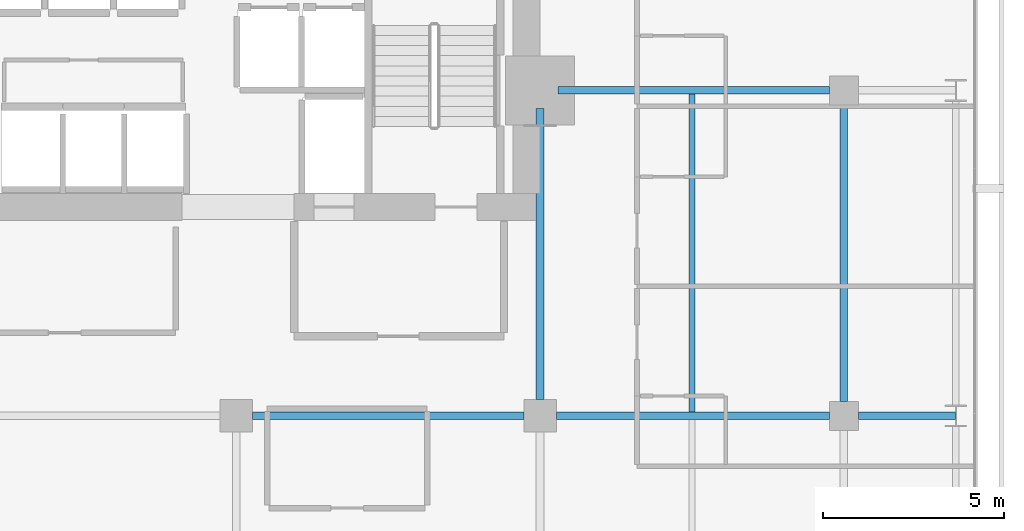
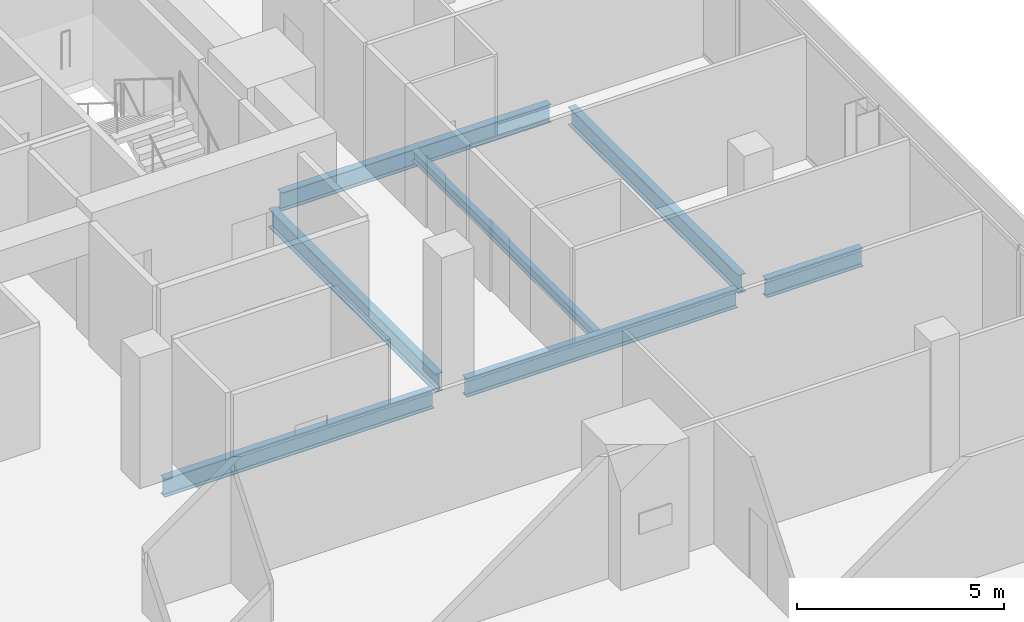
# One storey, part 23 of 34: 7 beams.
"""IFC4 building model written with IfcOpenShell, lengths in metres."""

import ifcopenshell
import ifcopenshell.guid

model = None  # the IFC model being written
_history = None  # IfcOwnerHistory: only IFC2X3 demands one
_inside = {}  # id of a spatial element -> (the spatial element, [elements in it])
_under = {}  # id of a project, library or spatial element -> (it, [spatial elements below it])
_declared = {}  # id of a project -> (the project, [libraries it declares])
_typed = {}  # id of a type object -> (the type object, [elements of that type])
_made_of = {}  # id of a material, layer set ... -> (it, [elements and type objects made of it])


def new_model(schema):
    """Start an empty IFC model of exactly this schema.

    Asked for "IFC4X3", IfcOpenShell would pick the latest addendum, in which some entities
    have other attributes; the version numbers below select the first issue.
    IFC2X3 requires an IfcOwnerHistory on every rooted entity: one is made here for all.
    """
    global model, _history
    if schema == "IFC4X3":
        model = ifcopenshell.file(schema_version=(4, 3, 0, 0))
    else:
        model = ifcopenshell.file(schema=schema)
    _inside.clear()
    _under.clear()
    _declared.clear()
    _typed.clear()
    _made_of.clear()
    _history = None
    if model.schema == "IFC2X3":
        org = make("IfcOrganization", Name="unknown")
        user = make(
            "IfcPersonAndOrganization",
            ThePerson=make("IfcPerson", FamilyName="unknown"),
            TheOrganization=org,
        )
        app = make(
            "IfcApplication",
            ApplicationDeveloper=org,
            Version="unknown",
            ApplicationFullName="unknown",
            ApplicationIdentifier="unknown",
        )
        _history = make(
            "IfcOwnerHistory",
            OwningUser=user,
            OwningApplication=app,
            ChangeAction="ADDED",
            CreationDate=0,
        )
    return model


def make(cls, **values):
    """One entity of the class cls with the attributes given. An attribute that is None is left unset."""
    return model.create_entity(
        cls, **{name: value for name, value in values.items() if value is not None}
    )


def rooted(cls, **values):
    """An entity with a GlobalId (a new one), such as an element, a storey or a relation."""
    return make(cls, GlobalId=ifcopenshell.guid.new(), OwnerHistory=_history, **values)


def si_unit(unit_type, name, prefix=None):
    """IfcSIUnit, for example si_unit("LENGTHUNIT", "METRE", prefix="MILLI")."""
    return make("IfcSIUnit", UnitType=unit_type, Prefix=prefix, Name=name)


def assignment(units):
    """IfcUnitAssignment: the units of a project."""
    return None if units is None else make("IfcUnitAssignment", Units=units)


def point(xyz):
    """IfcCartesianPoint."""
    return None if xyz is None else make("IfcCartesianPoint", Coordinates=xyz)


def direction(xyz):
    """IfcDirection."""
    return None if xyz is None else make("IfcDirection", DirectionRatios=xyz)


def frame(location, z_axis=None, x_axis=None):
    """IfcAxis2Placement3D, a coordinate frame: its origin and axes. An axis left out is left unset."""
    return make(
        "IfcAxis2Placement3D",
        Location=point(location),
        Axis=direction(z_axis),
        RefDirection=direction(x_axis),
    )


def frame_2d(location, x_axis=None):
    """IfcAxis2Placement2D, a coordinate frame in the plane: its origin and x axis."""
    return make(
        "IfcAxis2Placement2D", Location=point(location), RefDirection=direction(x_axis)
    )


def origin():
    """The frame at (0, 0, 0) with its axes left unset."""
    return frame((0.0, 0.0, 0.0))


def origin_2d():
    """The frame at (0, 0) in the plane with its x axis left unset."""
    return frame_2d((0.0, 0.0))


def place(relative_to, where):
    """IfcLocalPlacement: puts the frame where relative to a parent placement (None: the world)."""
    return make(
        "IfcLocalPlacement", PlacementRelTo=relative_to, RelativePlacement=where
    )


def context(
    kind, dimensions, precision=None, world=None, true_north=None, identifier=None
):
    """IfcGeometricRepresentationContext, for example the 3D "Model" context."""
    return make(
        "IfcGeometricRepresentationContext",
        ContextIdentifier=identifier,
        ContextType=kind,
        CoordinateSpaceDimension=dimensions,
        Precision=precision,
        WorldCoordinateSystem=world,
        TrueNorth=true_north,
    )


def subcontext(parent, identifier, kind, view, scale=None):
    """IfcGeometricRepresentationSubContext, for example "Body" below "Model"."""
    return make(
        "IfcGeometricRepresentationSubContext",
        ContextIdentifier=identifier,
        ContextType=kind,
        ParentContext=parent,
        TargetScale=scale,
        TargetView=view,
    )


def project(units=None, contexts=None):
    """IfcProject with its units and contexts."""
    return rooted(
        "IfcProject",
        Name="project",
        RepresentationContexts=contexts,
        UnitsInContext=assignment(units),
    )


def spatial(cls, under=None, at=None, **own):
    """A site, building, storey or space (cls), placed at a placement, below another one or the project."""
    s = rooted(cls, ObjectPlacement=at, **own)
    if under is not None:
        _under.setdefault(under.id(), (under, []))[1].append(s)
    return s


def profile(cls, at=None, kind="AREA", **sizes):
    """A parametric profile (cls). Its sizes go by their IFC names, for example OverallWidth=200.0."""
    return make(cls, ProfileType=kind, Position=at, **sizes)


def i_section(**sizes):
    """IfcIShapeProfileDef."""
    return profile("IfcIShapeProfileDef", **sizes)


def extrude(swept, where, along, depth):
    """IfcExtrudedAreaSolid: the profile swept, set in the frame where, extruded along a direction by depth."""
    return make(
        "IfcExtrudedAreaSolid",
        SweptArea=swept,
        Position=where,
        ExtrudedDirection=direction(along),
        Depth=depth,
    )


def shape(context_of_items, identifier, shape_type, items):
    """IfcShapeRepresentation: the items that make up one representation, for example the "Body"."""
    return make(
        "IfcShapeRepresentation",
        ContextOfItems=context_of_items,
        RepresentationIdentifier=identifier,
        RepresentationType=shape_type,
        Items=items,
    )


def material(Name=None, Category=None):
    """IfcMaterial."""
    return make("IfcMaterial", Name=Name, Category=Category)


def material_profile(
    of_material, cross_section, Name=None, Category=None, Priority=None
):
    """IfcMaterialProfile: a cross section and its material."""
    return make(
        "IfcMaterialProfile",
        Name=Name,
        Material=of_material,
        Profile=cross_section,
        Priority=Priority,
        Category=Category,
    )


def profile_set(profiles, Name=None, composite=None):
    """IfcMaterialProfileSet."""
    return make(
        "IfcMaterialProfileSet",
        Name=Name,
        MaterialProfiles=profiles,
        CompositeProfile=composite,
    )


def made_of(thing, what):
    """Note that an element or type object is made of a material, layer set ...; save() writes the relation."""
    if what is not None:
        _made_of.setdefault(what.id(), (what, []))[1].append(thing)
    return thing


def type_object(cls, material=None, **own):
    """A type object (cls), such as IfcWallType, which elements share."""
    return made_of(rooted(cls, **own), material)


def element(
    cls,
    number,
    at=None,
    inside=None,
    cuts=None,
    type_object=None,
    material=None,
    context=None,
    identifier="Body",
    shape_type=None,
    held_by="IfcProductDefinitionShape",
    body=None,
    shapes=None,
    **own,
):
    """One element of the class cls, such as IfcWall. Its Tag is "e" and its number.

    at: its placement. inside: the storey or other place that contains it. cuts: it is an
    opening in that element (IfcRelVoidsElement). A single representation is given by context,
    identifier, shape_type and body (its items); several are given by shapes. held_by: the class
    of the entity that holds the representations. save() writes the other relations.
    """
    e = rooted(cls, Tag="e%d" % number, ObjectPlacement=at, **own)
    if body is not None:
        shapes = [shape(context, identifier, shape_type, body)]
    if shapes is not None:
        e.Representation = make(held_by, Representations=shapes)
    if inside is not None:
        _inside.setdefault(inside.id(), (inside, []))[1].append(e)
    if cuts is not None:
        rooted(
            "IfcRelVoidsElement", RelatingBuildingElement=cuts, RelatedOpeningElement=e
        )
    if type_object is not None:
        _typed.setdefault(type_object.id(), (type_object, []))[1].append(e)
    return made_of(e, material)


def aggregate(whole, parts):
    """IfcRelAggregates: a whole, such as a stair, and the parts it consists of."""
    return rooted("IfcRelAggregates", RelatingObject=whole, RelatedObjects=parts)


def save(model, path):
    """Write the relations noted so far, then the file.

    IfcRelAggregates (storeys below a building ...), IfcRelContainedInSpatialStructure (elements
    in a storey), IfcRelDefinesByType, IfcRelAssociatesMaterial and IfcRelDeclares: one each for
    every whole, place, type object, material and project.
    """
    for whole, parts in _under.values():
        aggregate(whole, parts)
    for where, things in _inside.values():
        rooted(
            "IfcRelContainedInSpatialStructure",
            RelatedElements=things,
            RelatingStructure=where,
        )
    for kind, things in _typed.values():
        rooted("IfcRelDefinesByType", RelatedObjects=things, RelatingType=kind)
    for what, things in _made_of.values():
        rooted("IfcRelAssociatesMaterial", RelatedObjects=things, RelatingMaterial=what)
    for by, libraries in _declared.values():
        rooted("IfcRelDeclares", RelatingContext=by, RelatedDefinitions=libraries)
    model.write(path)


model = new_model("IFC4")

# Units and contexts
model_context = context("Model", 3, precision=1e-05, world=origin(), true_north=direction((0.0, 1.0)))
body_context = subcontext(model_context, "Body", "Model", "MODEL_VIEW")
ifc_project = project(units=[si_unit("LENGTHUNIT", "METRE"), si_unit("AREAUNIT", "SQUARE_METRE"), si_unit("VOLUMEUNIT", "CUBIC_METRE"), si_unit("PLANEANGLEUNIT", "RADIAN"), si_unit("MASSUNIT", "GRAM", prefix="KILO")], contexts=[model_context])

# Site, building, storey
site_placement = place(None, origin())
site = spatial("IfcSite", under=ifc_project, at=site_placement, CompositionType="ELEMENT")
building_placement = place(site_placement, origin())
building = spatial("IfcBuilding", under=site, at=building_placement, Name="Maruvema Waterfront Hotel and Observation Tower", CompositionType="ELEMENT")
storey_placement = place(building_placement, frame((0.0, 0.0, 208.25)))
storey = spatial("IfcBuildingStorey", under=building, at=storey_placement, Name="L51", CompositionType="ELEMENT", Elevation=208.25)

# Beams
ifc_material_1 = material(Name="Steel ASTM A572 Grade 50", Category="steel")
ifc_material_profile_1 = material_profile(ifc_material_1, i_section(OverallWidth=0.2109375, OverallDepth=0.5390625, WebThickness=0.01171875, FlangeThickness=0.018798828125, FilletRadius=0.014892578125, at=origin_2d()), Name="W530x109.0")
ifc_profile_set_1 = profile_set([ifc_material_profile_1], Name="Steel ASTM A572 Grade 50")
beam_type_1 = type_object("IfcBeamType", Name="Primary Floor Girder W530x109.0", PredefinedType="BEAM", material=ifc_profile_set_1)
beam_1_placement = place(storey_placement, frame((42.449951171875, 36.0, -0.509521484375), z_axis=(1.0, 0.0, 0.0), x_axis=(0.0, 1.0, 0.0)))
element("IfcBeam", 1, at=beam_1_placement, inside=storey, type_object=beam_type_1, Name="L51 Floor Girder EW-27", PredefinedType="BEAM", context=body_context, shape_type="SweptSolid", body=[
    extrude(i_section(OverallWidth=0.2109375, OverallDepth=0.5390625, WebThickness=0.01171875, FlangeThickness=0.018798828125, FilletRadius=0.014892578125, at=origin_2d()), origin(), (0.0, 0.0, 1.0), 7.5),
])
beam_2_placement = place(storey_placement, frame((50.85009765625, 36.0, -0.509521484375), z_axis=(1.0, 0.0, 0.0), x_axis=(0.0, 1.0, 0.0)))
element("IfcBeam", 2, at=beam_2_placement, inside=storey, type_object=beam_type_1, Name="L51 Floor Girder EW-28", PredefinedType="BEAM", context=body_context, shape_type="SweptSolid", body=[
    extrude(i_section(OverallWidth=0.2109375, OverallDepth=0.5390625, WebThickness=0.01171875, FlangeThickness=0.018798828125, FilletRadius=0.014892578125, at=origin_2d()), origin(), (0.0, 0.0, 1.0), 7.5498046875),
])
beam_3_placement = place(storey_placement, frame((59.199951171875, 36.0, -0.509521484375), z_axis=(1.0, 0.0, 0.0), x_axis=(0.0, 1.0, 0.0)))
element("IfcBeam", 3, at=beam_3_placement, inside=storey, type_object=beam_type_1, Name="L51 Floor Girder EW-29", PredefinedType="BEAM", context=body_context, shape_type="SweptSolid", body=[
    extrude(i_section(OverallWidth=0.2109375, OverallDepth=0.5390625, WebThickness=0.01171875, FlangeThickness=0.018798828125, FilletRadius=0.014892578125, at=origin_2d()), origin(), (0.0, 0.0, 1.0), 2.6875),
])
beam_4_placement = place(storey_placement, frame((50.89990234375, 45.0, -0.509521484375), z_axis=(1.0, 0.0, 0.0), x_axis=(0.0, 1.0, 0.0)))
element("IfcBeam", 4, at=beam_4_placement, inside=storey, type_object=beam_type_1, Name="L51 Floor Girder EW-32", PredefinedType="BEAM", context=body_context, shape_type="SweptSolid", body=[
    extrude(i_section(OverallWidth=0.2109375, OverallDepth=0.5390625, WebThickness=0.01171875, FlangeThickness=0.018798828125, FilletRadius=0.014892578125, at=origin_2d()), origin(), (0.0, 0.0, 1.0), 7.5),
])
beam_5_placement = place(storey_placement, frame((50.39990234375, 36.449951171875, -0.509521484375), z_axis=(0.0, 1.0, 0.0), x_axis=(-1.0, 0.0, 0.0)))
element("IfcBeam", 5, at=beam_5_placement, inside=storey, type_object=beam_type_1, Name="L51 Floor Girder NS-24", PredefinedType="BEAM", context=body_context, shape_type="SweptSolid", body=[
    extrude(i_section(OverallWidth=0.2109375, OverallDepth=0.5390625, WebThickness=0.01171875, FlangeThickness=0.018798828125, FilletRadius=0.014892578125, at=origin_2d()), origin(), (0.0, 0.0, 1.0), 8.050048828125),
])
beam_6_placement = place(storey_placement, frame((58.800048828125, 36.39990234375, -0.509521484375), z_axis=(0.0, 1.0, 0.0), x_axis=(-1.0, 0.0, 0.0)))
element("IfcBeam", 6, at=beam_6_placement, inside=storey, type_object=beam_type_1, Name="L51 Floor Girder NS-28", PredefinedType="BEAM", context=body_context, shape_type="SweptSolid", body=[
    extrude(i_section(OverallWidth=0.2109375, OverallDepth=0.5390625, WebThickness=0.01171875, FlangeThickness=0.018798828125, FilletRadius=0.014892578125, at=origin_2d()), origin(), (0.0, 0.0, 1.0), 8.2001953125),
])
ifc_material_2 = material(Name="Steel ASTM A572 Grade 50", Category="steel")
ifc_material_profile_2 = material_profile(ifc_material_2, i_section(OverallWidth=0.1650390625, OverallDepth=0.31005859375, WebThickness=0.005859375, FlangeThickness=0.009765625, FilletRadius=0.012939453125, at=origin_2d()), Name="W310x38.7")
ifc_profile_set_2 = profile_set([ifc_material_profile_2], Name="Steel ASTM A572 Grade 50")
beam_type_2 = type_object("IfcBeamType", Name="Secondary Floor Joist W310x38.7", PredefinedType="JOIST", material=ifc_profile_set_2)
beam_7_placement = place(storey_placement, frame((54.60009765625, 36.10546875, -0.39501953125), z_axis=(0.0, 1.0, 0.0), x_axis=(-1.0, 0.0, 0.0)))
element("IfcBeam", 7, at=beam_7_placement, inside=storey, type_object=beam_type_2, Name="L51 Secondary Floor Joist JS-14", PredefinedType="JOIST", context=body_context, shape_type="SweptSolid", body=[
    extrude(i_section(OverallWidth=0.1650390625, OverallDepth=0.31005859375, WebThickness=0.005859375, FlangeThickness=0.009765625, FilletRadius=0.012939453125, at=origin_2d()), origin(), (0.0, 0.0, 1.0), 8.7890625),
])

save(model, "model.ifc")
